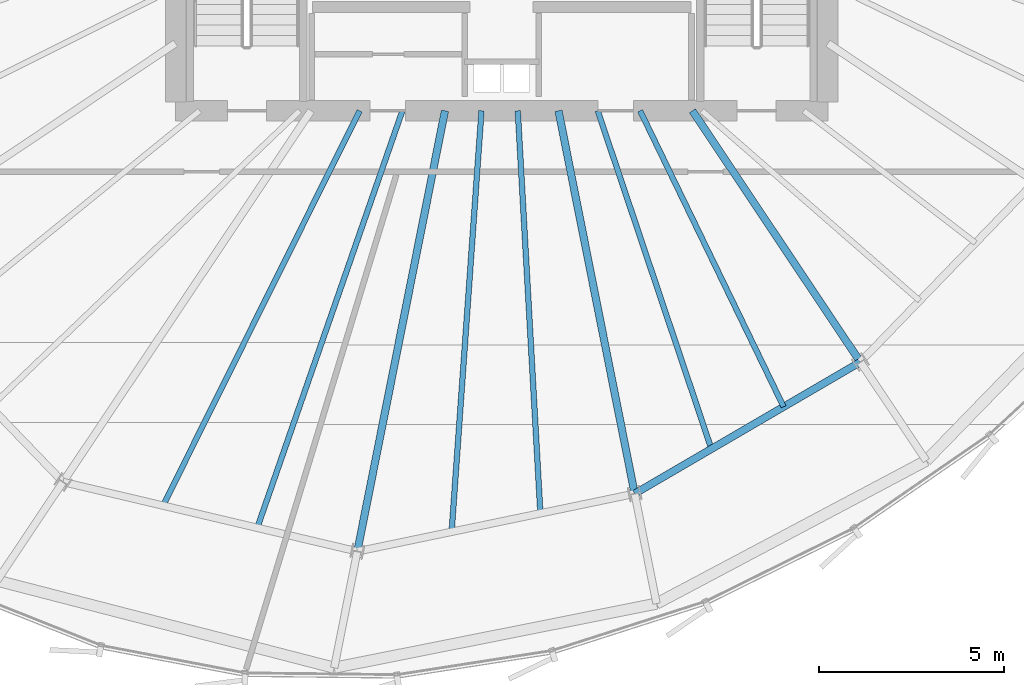
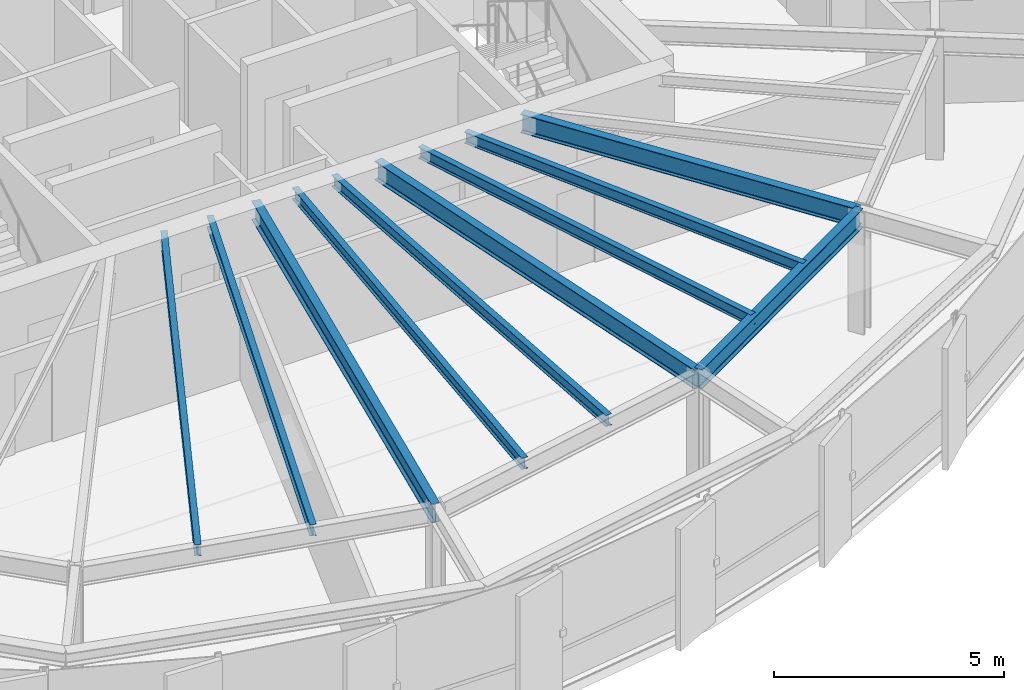
# One storey, part 8 of 34: 10 beams.
"""IFC4 building model written with IfcOpenShell, lengths in metres."""

import ifcopenshell
import ifcopenshell.guid

model = None  # the IFC model being written
_history = None  # IfcOwnerHistory: only IFC2X3 demands one
_inside = {}  # id of a spatial element -> (the spatial element, [elements in it])
_under = {}  # id of a project, library or spatial element -> (it, [spatial elements below it])
_declared = {}  # id of a project -> (the project, [libraries it declares])
_typed = {}  # id of a type object -> (the type object, [elements of that type])
_made_of = {}  # id of a material, layer set ... -> (it, [elements and type objects made of it])


def new_model(schema):
    """Start an empty IFC model of exactly this schema.

    Asked for "IFC4X3", IfcOpenShell would pick the latest addendum, in which some entities
    have other attributes; the version numbers below select the first issue.
    IFC2X3 requires an IfcOwnerHistory on every rooted entity: one is made here for all.
    """
    global model, _history
    if schema == "IFC4X3":
        model = ifcopenshell.file(schema_version=(4, 3, 0, 0))
    else:
        model = ifcopenshell.file(schema=schema)
    _inside.clear()
    _under.clear()
    _declared.clear()
    _typed.clear()
    _made_of.clear()
    _history = None
    if model.schema == "IFC2X3":
        org = make("IfcOrganization", Name="unknown")
        user = make(
            "IfcPersonAndOrganization",
            ThePerson=make("IfcPerson", FamilyName="unknown"),
            TheOrganization=org,
        )
        app = make(
            "IfcApplication",
            ApplicationDeveloper=org,
            Version="unknown",
            ApplicationFullName="unknown",
            ApplicationIdentifier="unknown",
        )
        _history = make(
            "IfcOwnerHistory",
            OwningUser=user,
            OwningApplication=app,
            ChangeAction="ADDED",
            CreationDate=0,
        )
    return model


def make(cls, **values):
    """One entity of the class cls with the attributes given. An attribute that is None is left unset."""
    return model.create_entity(
        cls, **{name: value for name, value in values.items() if value is not None}
    )


def rooted(cls, **values):
    """An entity with a GlobalId (a new one), such as an element, a storey or a relation."""
    return make(cls, GlobalId=ifcopenshell.guid.new(), OwnerHistory=_history, **values)


def si_unit(unit_type, name, prefix=None):
    """IfcSIUnit, for example si_unit("LENGTHUNIT", "METRE", prefix="MILLI")."""
    return make("IfcSIUnit", UnitType=unit_type, Prefix=prefix, Name=name)


def assignment(units):
    """IfcUnitAssignment: the units of a project."""
    return None if units is None else make("IfcUnitAssignment", Units=units)


def point(xyz):
    """IfcCartesianPoint."""
    return None if xyz is None else make("IfcCartesianPoint", Coordinates=xyz)


def direction(xyz):
    """IfcDirection."""
    return None if xyz is None else make("IfcDirection", DirectionRatios=xyz)


def frame(location, z_axis=None, x_axis=None):
    """IfcAxis2Placement3D, a coordinate frame: its origin and axes. An axis left out is left unset."""
    return make(
        "IfcAxis2Placement3D",
        Location=point(location),
        Axis=direction(z_axis),
        RefDirection=direction(x_axis),
    )


def frame_2d(location, x_axis=None):
    """IfcAxis2Placement2D, a coordinate frame in the plane: its origin and x axis."""
    return make(
        "IfcAxis2Placement2D", Location=point(location), RefDirection=direction(x_axis)
    )


def origin():
    """The frame at (0, 0, 0) with its axes left unset."""
    return frame((0.0, 0.0, 0.0))


def origin_2d():
    """The frame at (0, 0) in the plane with its x axis left unset."""
    return frame_2d((0.0, 0.0))


def place(relative_to, where):
    """IfcLocalPlacement: puts the frame where relative to a parent placement (None: the world)."""
    return make(
        "IfcLocalPlacement", PlacementRelTo=relative_to, RelativePlacement=where
    )


def context(
    kind, dimensions, precision=None, world=None, true_north=None, identifier=None
):
    """IfcGeometricRepresentationContext, for example the 3D "Model" context."""
    return make(
        "IfcGeometricRepresentationContext",
        ContextIdentifier=identifier,
        ContextType=kind,
        CoordinateSpaceDimension=dimensions,
        Precision=precision,
        WorldCoordinateSystem=world,
        TrueNorth=true_north,
    )


def subcontext(parent, identifier, kind, view, scale=None):
    """IfcGeometricRepresentationSubContext, for example "Body" below "Model"."""
    return make(
        "IfcGeometricRepresentationSubContext",
        ContextIdentifier=identifier,
        ContextType=kind,
        ParentContext=parent,
        TargetScale=scale,
        TargetView=view,
    )


def project(units=None, contexts=None):
    """IfcProject with its units and contexts."""
    return rooted(
        "IfcProject",
        Name="project",
        RepresentationContexts=contexts,
        UnitsInContext=assignment(units),
    )


def spatial(cls, under=None, at=None, **own):
    """A site, building, storey or space (cls), placed at a placement, below another one or the project."""
    s = rooted(cls, ObjectPlacement=at, **own)
    if under is not None:
        _under.setdefault(under.id(), (under, []))[1].append(s)
    return s


def profile(cls, at=None, kind="AREA", **sizes):
    """A parametric profile (cls). Its sizes go by their IFC names, for example OverallWidth=200.0."""
    return make(cls, ProfileType=kind, Position=at, **sizes)


def i_section(**sizes):
    """IfcIShapeProfileDef."""
    return profile("IfcIShapeProfileDef", **sizes)


def extrude(swept, where, along, depth):
    """IfcExtrudedAreaSolid: the profile swept, set in the frame where, extruded along a direction by depth."""
    return make(
        "IfcExtrudedAreaSolid",
        SweptArea=swept,
        Position=where,
        ExtrudedDirection=direction(along),
        Depth=depth,
    )


def shape(context_of_items, identifier, shape_type, items):
    """IfcShapeRepresentation: the items that make up one representation, for example the "Body"."""
    return make(
        "IfcShapeRepresentation",
        ContextOfItems=context_of_items,
        RepresentationIdentifier=identifier,
        RepresentationType=shape_type,
        Items=items,
    )


def source(mapping_origin, context_of_items, identifier, shape_type, items):
    """IfcRepresentationMap: a shape defined once, which mapped items show again and again."""
    return make(
        "IfcRepresentationMap",
        MappingOrigin=mapping_origin,
        MappedRepresentation=shape(context_of_items, identifier, shape_type, items),
    )


def transform(
    local_origin,
    x_axis=None,
    y_axis=None,
    z_axis=None,
    scale=None,
    scale2=None,
    scale3=None,
    uniform=True,
):
    """IfcCartesianTransformationOperator3D, or its non-uniform kind. x_axis, y_axis, z_axis: its Axis1, 2, 3."""
    if uniform:
        return make(
            "IfcCartesianTransformationOperator3D",
            Axis1=direction(x_axis),
            Axis2=direction(y_axis),
            LocalOrigin=point(local_origin),
            Scale=scale,
            Axis3=direction(z_axis),
        )
    return make(
        "IfcCartesianTransformationOperator3DnonUniform",
        Axis1=direction(x_axis),
        Axis2=direction(y_axis),
        LocalOrigin=point(local_origin),
        Scale=scale,
        Axis3=direction(z_axis),
        Scale2=scale2,
        Scale3=scale3,
    )


def mapped(mapping_source, mapping_target):
    """IfcMappedItem: shows the shape of a source again, moved by a transform."""
    return make(
        "IfcMappedItem", MappingSource=mapping_source, MappingTarget=mapping_target
    )


def material(Name=None, Category=None):
    """IfcMaterial."""
    return make("IfcMaterial", Name=Name, Category=Category)


def material_profile(
    of_material, cross_section, Name=None, Category=None, Priority=None
):
    """IfcMaterialProfile: a cross section and its material."""
    return make(
        "IfcMaterialProfile",
        Name=Name,
        Material=of_material,
        Profile=cross_section,
        Priority=Priority,
        Category=Category,
    )


def profile_set(profiles, Name=None, composite=None):
    """IfcMaterialProfileSet."""
    return make(
        "IfcMaterialProfileSet",
        Name=Name,
        MaterialProfiles=profiles,
        CompositeProfile=composite,
    )


def made_of(thing, what):
    """Note that an element or type object is made of a material, layer set ...; save() writes the relation."""
    if what is not None:
        _made_of.setdefault(what.id(), (what, []))[1].append(thing)
    return thing


def type_object(cls, material=None, **own):
    """A type object (cls), such as IfcWallType, which elements share."""
    return made_of(rooted(cls, **own), material)


def element(
    cls,
    number,
    at=None,
    inside=None,
    cuts=None,
    type_object=None,
    material=None,
    context=None,
    identifier="Body",
    shape_type=None,
    held_by="IfcProductDefinitionShape",
    body=None,
    shapes=None,
    **own,
):
    """One element of the class cls, such as IfcWall. Its Tag is "e" and its number.

    at: its placement. inside: the storey or other place that contains it. cuts: it is an
    opening in that element (IfcRelVoidsElement). A single representation is given by context,
    identifier, shape_type and body (its items); several are given by shapes. held_by: the class
    of the entity that holds the representations. save() writes the other relations.
    """
    e = rooted(cls, Tag="e%d" % number, ObjectPlacement=at, **own)
    if body is not None:
        shapes = [shape(context, identifier, shape_type, body)]
    if shapes is not None:
        e.Representation = make(held_by, Representations=shapes)
    if inside is not None:
        _inside.setdefault(inside.id(), (inside, []))[1].append(e)
    if cuts is not None:
        rooted(
            "IfcRelVoidsElement", RelatingBuildingElement=cuts, RelatedOpeningElement=e
        )
    if type_object is not None:
        _typed.setdefault(type_object.id(), (type_object, []))[1].append(e)
    return made_of(e, material)


def aggregate(whole, parts):
    """IfcRelAggregates: a whole, such as a stair, and the parts it consists of."""
    return rooted("IfcRelAggregates", RelatingObject=whole, RelatedObjects=parts)


def save(model, path):
    """Write the relations noted so far, then the file.

    IfcRelAggregates (storeys below a building ...), IfcRelContainedInSpatialStructure (elements
    in a storey), IfcRelDefinesByType, IfcRelAssociatesMaterial and IfcRelDeclares: one each for
    every whole, place, type object, material and project.
    """
    for whole, parts in _under.values():
        aggregate(whole, parts)
    for where, things in _inside.values():
        rooted(
            "IfcRelContainedInSpatialStructure",
            RelatedElements=things,
            RelatingStructure=where,
        )
    for kind, things in _typed.values():
        rooted("IfcRelDefinesByType", RelatedObjects=things, RelatingType=kind)
    for what, things in _made_of.values():
        rooted("IfcRelAssociatesMaterial", RelatedObjects=things, RelatingMaterial=what)
    for by, libraries in _declared.values():
        rooted("IfcRelDeclares", RelatingContext=by, RelatedDefinitions=libraries)
    model.write(path)


model = new_model("IFC4")

# Units and contexts
model_context = context("Model", 3, precision=1e-05, world=origin(), true_north=direction((0.0, 1.0)))
body_context = subcontext(model_context, "Body", "Model", "MODEL_VIEW")
ifc_project = project(units=[si_unit("LENGTHUNIT", "METRE"), si_unit("AREAUNIT", "SQUARE_METRE"), si_unit("VOLUMEUNIT", "CUBIC_METRE"), si_unit("PLANEANGLEUNIT", "RADIAN"), si_unit("MASSUNIT", "GRAM", prefix="KILO"), si_unit("THERMODYNAMICTEMPERATUREUNIT", "KELVIN")], contexts=[model_context])

# Site, building, storey
site_placement = place(None, origin())
site = spatial("IfcSite", under=ifc_project, at=site_placement, CompositionType="ELEMENT")
building_placement = place(site_placement, origin())
building = spatial("IfcBuilding", under=site, at=building_placement, Name="Kethvar Cultural Tower", CompositionType="ELEMENT")
storey_placement = place(building_placement, frame((0.0, 0.0, 190.39990234375)))
storey = spatial("IfcBuildingStorey", under=building, at=storey_placement, Name="L49", CompositionType="ELEMENT", Elevation=190.39990234375)

# Beams
ifc_material = material(Name="Steel S355J2", Category="steel")
ifc_material_profile_1 = material_profile(ifc_material, i_section(OverallWidth=0.199951171875, OverallDepth=0.5, WebThickness=0.01025390625, FlangeThickness=0.01611328125, FilletRadius=0.02099609375, at=origin_2d()), Name="Steel S355J2 — IPE500")
ifc_profile_set_1 = profile_set([ifc_material_profile_1], Name="Steel S355J2 — IPE500")
beam_type_1 = type_object("IfcBeamType", Name="BM-IPE500", PredefinedType="BEAM", material=ifc_profile_set_1)
shared_shape_1 = source(origin(), body_context, "Body", "SweptSolid", [
    extrude(i_section(OverallWidth=0.199951171875, OverallDepth=0.5, WebThickness=0.01025390625, FlangeThickness=0.01611328125, FilletRadius=0.02099609375, at=origin_2d()), origin(), (0.0, 0.0, 1.0), 12.1220703125),
])
beam_1_placement = place(storey_placement, frame((45.268310546875, 20.10009765625, 3.008056640625), z_axis=(-0.195078030057, -0.980787725346, 0.0), x_axis=(0.980787725346, -0.195078030057, 0.0)))
element("IfcBeam", 1, at=beam_1_placement, inside=storey, type_object=beam_type_1, Name="L49 Primary Radial Beam RB-12", PredefinedType="BEAM", context=body_context, shape_type="MappedRepresentation", body=[
    mapped(shared_shape_1, transform((0.0, 0.0, 0.0), scale=1.0)),
])
shared_shape_2 = source(origin(), body_context, "Body", "SweptSolid", [
    extrude(i_section(OverallWidth=0.199951171875, OverallDepth=0.5, WebThickness=0.01025390625, FlangeThickness=0.01611328125, FilletRadius=0.02099609375, at=origin_2d()), origin(), (0.0, 0.0, 1.0), 10.533935546875),
])
beam_2_placement = place(storey_placement, frame((48.33154296875, 20.10009765625, 3.008056640625), z_axis=(0.19509982917, -0.980783389265, 0.0), x_axis=(0.980783389265, 0.19509982917, 0.0)))
element("IfcBeam", 2, at=beam_2_placement, inside=storey, type_object=beam_type_1, Name="L49 Primary Radial Beam RB-13", PredefinedType="BEAM", context=body_context, shape_type="MappedRepresentation", body=[
    mapped(shared_shape_2, transform((0.0, 0.0, 0.0), scale=1.0)),
])
shared_shape_3 = source(origin(), body_context, "Body", "SweptSolid", [
    extrude(i_section(OverallWidth=0.199951171875, OverallDepth=0.5, WebThickness=0.01025390625, FlangeThickness=0.01611328125, FilletRadius=0.02099609375, at=origin_2d()), origin(), (0.0, 0.0, 1.0), 8.1533203125),
])
beam_3_placement = place(storey_placement, frame((51.945068359375, 20.10009765625, 3.008056640625), z_axis=(0.555549853936, -0.831483228809, 0.0), x_axis=(0.831483228809, 0.555549853936, 0.0)))
element("IfcBeam", 3, at=beam_3_placement, inside=storey, type_object=beam_type_1, Name="L49 Primary Radial Beam RB-14", PredefinedType="BEAM", context=body_context, shape_type="MappedRepresentation", body=[
    mapped(shared_shape_3, transform((0.0, 0.0, 0.0), scale=1.0)),
])
ifc_material_profile_2 = material_profile(ifc_material, i_section(OverallWidth=0.14990234375, OverallDepth=0.300048828125, WebThickness=0.007080078125, FlangeThickness=0.0107421875, FilletRadius=0.014892578125, at=origin_2d()), Name="Steel S355J2 — IPE300")
ifc_profile_set_2 = profile_set([ifc_material_profile_2], Name="Steel S355J2 — IPE300")
beam_type_2 = type_object("IfcBeamType", Name="BM-J300", PredefinedType="JOIST", material=ifc_profile_set_2)
shared_shape_4 = source(origin(), body_context, "Body", "SweptSolid", [
    extrude(i_section(OverallWidth=0.14990234375, OverallDepth=0.300048828125, WebThickness=0.007080078125, FlangeThickness=0.0107421875, FilletRadius=0.014892578125, at=origin_2d()), origin(), (0.0, 0.0, 1.0), 11.900146484375),
])
beam_4_placement = place(storey_placement, frame((42.96630859375, 20.10009765625, 3.108154296875), z_axis=(-0.445686564233, -0.89518907861, 0.0), x_axis=(0.89518907861, -0.445686564233, 0.0)))
element("IfcBeam", 4, at=beam_4_placement, inside=storey, type_object=beam_type_2, Name="L49 Composite Floor Joist J-11A", PredefinedType="JOIST", context=body_context, shape_type="MappedRepresentation", body=[
    mapped(shared_shape_4, transform((0.0, 0.0, 0.0), scale=1.0)),
])
shared_shape_5 = source(origin(), body_context, "Body", "SweptSolid", [
    extrude(i_section(OverallWidth=0.14990234375, OverallDepth=0.300048828125, WebThickness=0.007080078125, FlangeThickness=0.0107421875, FilletRadius=0.014892578125, at=origin_2d()), origin(), (0.0, 0.0, 1.0), 11.914306640625),
])
beam_5_placement = place(storey_placement, frame((44.1201171875, 20.10009765625, 3.108154296875), z_axis=(-0.328722490218, -0.944426558513, 0.0), x_axis=(0.944426558513, -0.328722490218, 0.0)))
element("IfcBeam", 5, at=beam_5_placement, inside=storey, type_object=beam_type_2, Name="L49 Composite Floor Joist J-11B", PredefinedType="JOIST", context=body_context, shape_type="MappedRepresentation", body=[
    mapped(shared_shape_5, transform((0.0, 0.0, 0.0), scale=1.0)),
])
shared_shape_6 = source(origin(), body_context, "Body", "SweptSolid", [
    extrude(i_section(OverallWidth=0.14990234375, OverallDepth=0.300048828125, WebThickness=0.007080078125, FlangeThickness=0.0107421875, FilletRadius=0.014892578125, at=origin_2d()), origin(), (0.0, 0.0, 1.0), 11.38818359375),
])
beam_6_placement = place(storey_placement, frame((46.253662109375, 20.10009765625, 3.108154296875), z_axis=(-0.070767133242, -0.99749286356, 0.0), x_axis=(0.99749286356, -0.070767133242, 0.0)))
element("IfcBeam", 6, at=beam_6_placement, inside=storey, type_object=beam_type_2, Name="L49 Composite Floor Joist J-12A", PredefinedType="JOIST", context=body_context, shape_type="MappedRepresentation", body=[
    mapped(shared_shape_6, transform((0.0, 0.0, 0.0), scale=1.0)),
])
shared_shape_7 = source(origin(), body_context, "Body", "SweptSolid", [
    extrude(i_section(OverallWidth=0.14990234375, OverallDepth=0.300048828125, WebThickness=0.007080078125, FlangeThickness=0.0107421875, FilletRadius=0.014892578125, at=origin_2d()), origin(), (0.0, 0.0, 1.0), 10.878173828125),
])
beam_7_placement = place(storey_placement, frame((47.232421875, 20.10009765625, 3.108154296875), z_axis=(0.056062922639, -0.998427237562, 0.0), x_axis=(0.998427237562, 0.056062922639, 0.0)))
element("IfcBeam", 7, at=beam_7_placement, inside=storey, type_object=beam_type_2, Name="L49 Composite Floor Joist J-12B", PredefinedType="JOIST", context=body_context, shape_type="MappedRepresentation", body=[
    mapped(shared_shape_7, transform((0.0, 0.0, 0.0), scale=1.0)),
])
shared_shape_8 = source(origin(), body_context, "Body", "SweptSolid", [
    extrude(i_section(OverallWidth=0.199951171875, OverallDepth=0.5, WebThickness=0.01025390625, FlangeThickness=0.01611328125, FilletRadius=0.02099609375, at=origin_2d()), origin(), (0.0, 0.0, 1.0), 7.048583984375),
])
beam_8_placement = place(storey_placement, frame((50.38671875, 9.7685546875, 3.008056640625), z_axis=(0.863718593305, 0.503974395757, 0.0), x_axis=(-0.503974395757, 0.863718593305, 0.0)))
element("IfcBeam", 8, at=beam_8_placement, inside=storey, type_object=beam_type_1, Name="L49 Column Ring Tie Beam CR-13", PredefinedType="BEAM", context=body_context, shape_type="MappedRepresentation", body=[
    mapped(shared_shape_8, transform((0.0, 0.0, 0.0), scale=1.0)),
])
shared_shape_9 = source(origin(), body_context, "Body", "SweptSolid", [
    extrude(i_section(OverallWidth=0.14990234375, OverallDepth=0.300048828125, WebThickness=0.007080078125, FlangeThickness=0.0107421875, FilletRadius=0.014892578125, at=origin_2d()), origin(), (0.0, 0.0, 1.0), 9.625732421875),
])
beam_9_placement = place(storey_placement, frame((49.388916015625, 20.10009765625, 3.108154296875), z_axis=(0.31869202774, -0.947858318239, 0.0), x_axis=(0.947858318239, 0.31869202774, 0.0)))
element("IfcBeam", 9, at=beam_9_placement, inside=storey, type_object=beam_type_2, Name="L49 Composite Floor Joist J-13A", PredefinedType="JOIST", context=body_context, shape_type="MappedRepresentation", body=[
    mapped(shared_shape_9, transform((0.0, 0.0, 0.0), scale=1.0)),
])
shared_shape_10 = source(origin(), body_context, "Body", "SweptSolid", [
    extrude(i_section(OverallWidth=0.14990234375, OverallDepth=0.300048828125, WebThickness=0.007080078125, FlangeThickness=0.0107421875, FilletRadius=0.014892578125, at=origin_2d()), origin(), (0.0, 0.0, 1.0), 8.8759765625),
])
beam_10_placement = place(storey_placement, frame((50.532958984375, 20.10009765625, 3.108154296875), z_axis=(0.436210743691, -0.899844534955, 0.0), x_axis=(0.899844534955, 0.436210743691, 0.0)))
element("IfcBeam", 10, at=beam_10_placement, inside=storey, type_object=beam_type_2, Name="L49 Composite Floor Joist J-13B", PredefinedType="JOIST", context=body_context, shape_type="MappedRepresentation", body=[
    mapped(shared_shape_10, transform((0.0, 0.0, 0.0), scale=1.0)),
])

save(model, "model.ifc")
